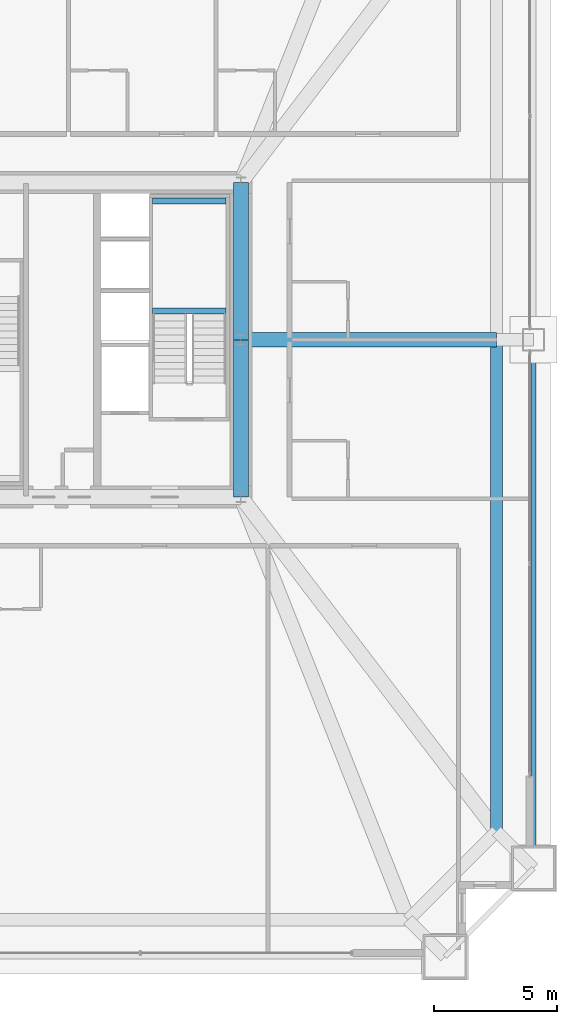
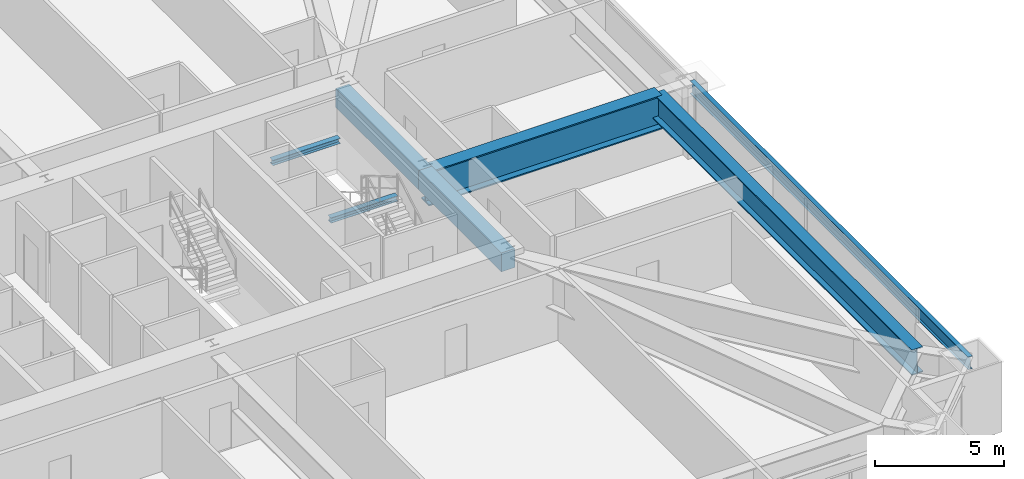
# One storey, part 18 of 44: 7 beams.
"""IFC4 building model written with IfcOpenShell, lengths in metres."""

from ifc_helpers import new_model, si_unit, direction, frame, origin, origin_2d, place, context, subcontext, project, spatial, rectangle, i_section, extrude, source, transform, mapped, material, material_profile, profile_set, type_object, element, save


model = new_model("IFC4")

# Units and contexts
model_context = context("Model", 3, precision=1e-05, world=origin(), true_north=direction((0.0, 1.0)))
body_context = subcontext(model_context, "Body", "Model", "MODEL_VIEW")
ifc_project = project(units=[si_unit("LENGTHUNIT", "METRE"), si_unit("AREAUNIT", "SQUARE_METRE"), si_unit("VOLUMEUNIT", "CUBIC_METRE"), si_unit("PLANEANGLEUNIT", "RADIAN"), si_unit("MASSUNIT", "GRAM", prefix="KILO"), si_unit("THERMODYNAMICTEMPERATUREUNIT", "KELVIN"), si_unit("POWERUNIT", "WATT")], contexts=[model_context])

# Site, building, storey
site_placement = place(None, origin())
site = spatial("IfcSite", under=ifc_project, at=site_placement, CompositionType="ELEMENT")
building_placement = place(site_placement, origin())
building = spatial("IfcBuilding", under=site, at=building_placement, Name="Yuzanri Waterfront Tower", CompositionType="ELEMENT")
storey_placement = place(building_placement, frame((0.0, 0.0, 82.0)))
storey = spatial("IfcBuildingStorey", under=building, at=storey_placement, Name="L21", CompositionType="ELEMENT", Elevation=82.0)

# Beams
ifc_material_1 = material(Name="Concrete C60", Category="concrete")
ifc_material_profile_1 = material_profile(ifc_material_1, rectangle(XDim=0.60009765625, YDim=0.89990234375, at=origin_2d()), Name="RC 600x900")
ifc_profile_set_1 = profile_set([ifc_material_profile_1], Name="Concrete C60")
beam_type_1 = type_object("IfcBeamType", Name="Core Coupling Lintel Concrete C60 600x900", PredefinedType="LINTEL", material=ifc_profile_set_1)
shared_shape_1 = source(origin(), body_context, "Body", "SweptSolid", [
    extrude(rectangle(XDim=0.60009765625, YDim=0.89990234375, at=origin_2d()), origin(), (0.0, 0.0, 1.0), 6.400146484375),
])
beam_1_placement = place(storey_placement, frame((50.199951171875, 19.39990234375, 2.8701171875), z_axis=(0.0, 1.0, 0.0), x_axis=(-1.0, 0.0, 0.0)))
element("IfcBeam", 1, at=beam_1_placement, inside=storey, type_object=beam_type_1, Name="L21 Core Tie Beam CE1", PredefinedType="LINTEL", context=body_context, shape_type="MappedRepresentation", body=[
    mapped(shared_shape_1, transform((0.0, 0.0, 0.0), scale=1.0)),
])
shared_shape_2 = source(origin(), body_context, "Body", "SweptSolid", [
    extrude(rectangle(XDim=0.60009765625, YDim=0.89990234375, at=origin_2d()), origin(), (0.0, 0.0, 1.0), 6.39990234375),
])
beam_2_placement = place(storey_placement, frame((50.199951171875, 25.800048828125, 2.8701171875), z_axis=(0.0, 1.0, 0.0), x_axis=(-1.0, 0.0, 0.0)))
element("IfcBeam", 2, at=beam_2_placement, inside=storey, type_object=beam_type_1, Name="L21 Core Tie Beam CE2", PredefinedType="LINTEL", context=body_context, shape_type="MappedRepresentation", body=[
    mapped(shared_shape_2, transform((0.0, 0.0, 0.0), scale=1.0)),
])
ifc_material_2 = material(Name="Steel Q355B", Category="steel")
ifc_material_profile_2 = material_profile(ifc_material_2, i_section(OverallWidth=0.199951171875, OverallDepth=0.60009765625, WebThickness=0.010986328125, FlangeThickness=0.01708984375, at=origin_2d()), Name="HN 600x200x11x17")
ifc_profile_set_2 = profile_set([ifc_material_profile_2], Name="Steel Q355B")
beam_type_2 = type_object("IfcBeamType", Name="Perimeter Spandrel Q355B HN 600x200", PredefinedType="SPANDREL", material=ifc_profile_set_2)
shared_shape_3 = source(origin(), body_context, "Body", "SweptSolid", [
    extrude(i_section(OverallWidth=0.199951171875, OverallDepth=0.60009765625, WebThickness=0.010986328125, FlangeThickness=0.01708984375, at=origin_2d()), origin(), (0.0, 0.0, 1.0), 21.5),
])
beam_3_placement = place(storey_placement, frame((62.10009765625, 4.300048828125, 3.02001953125), z_axis=(0.0, 1.0, 0.0), x_axis=(-1.0, 0.0, 0.0)))
element("IfcBeam", 3, at=beam_3_placement, inside=storey, type_object=beam_type_2, Name="L21 Perimeter Spandrel E1-E2", PredefinedType="SPANDREL", context=body_context, shape_type="MappedRepresentation", body=[
    mapped(shared_shape_3, transform((0.0, 0.0, 0.0), scale=1.0)),
])
ifc_material_3 = material(Name="Steel Q420GJC", Category="steel")
ifc_material_profile_3 = material_profile(ifc_material_3, i_section(OverallWidth=0.60009765625, OverallDepth=1.60009765625, WebThickness=0.031982421875, FlangeThickness=0.06005859375, at=origin_2d()), Name="PG 1600x600x32x60")
ifc_profile_set_3 = profile_set([ifc_material_profile_3], Name="Steel Q420GJC")
beam_type_3 = type_object("IfcBeamType", Name="Ballroom Transfer Girder Q420GJC PG 1600x600", PredefinedType="USERDEFINED", material=ifc_profile_set_3)
shared_shape_4 = source(origin(), body_context, "Body", "SweptSolid", [
    extrude(i_section(OverallWidth=0.60009765625, OverallDepth=1.60009765625, WebThickness=0.031982421875, FlangeThickness=0.06005859375, at=origin_2d()), origin(), (0.0, 0.0, 1.0), 10.400146484375),
])
beam_4_placement = place(storey_placement, frame((50.199951171875, 25.800048828125, 2.52001953125), z_axis=(1.0, 0.0, 0.0), x_axis=(0.0, 1.0, 0.0)))
element("IfcBeam", 4, at=beam_4_placement, inside=storey, type_object=beam_type_3, Name="L21 Setback Inner Transfer E2", ObjectType="GIRDER", PredefinedType="USERDEFINED", context=body_context, shape_type="MappedRepresentation", body=[
    mapped(shared_shape_4, transform((0.0, 0.0, 0.0), scale=1.0)),
])
ifc_material_4 = material(Name="Steel Q420GJC", Category="steel")
ifc_material_profile_4 = material_profile(ifc_material_4, i_section(OverallWidth=0.5, OverallDepth=1.199951171875, WebThickness=0.028076171875, FlangeThickness=0.050048828125, at=origin_2d()), Name="PG 1200x500x28x50")
ifc_profile_set_4 = profile_set([ifc_material_profile_4], Name="Steel Q420GJC")
beam_type_4 = type_object("IfcBeamType", Name="Setback Transfer Girder Q420GJC PG 1200x500", PredefinedType="USERDEFINED", material=ifc_profile_set_4)
shared_shape_5 = source(origin(), body_context, "Body", "SweptSolid", [
    extrude(i_section(OverallWidth=0.5, OverallDepth=1.199951171875, WebThickness=0.028076171875, FlangeThickness=0.050048828125, at=origin_2d()), origin(), (0.0, 0.0, 1.0), 20.0),
])
beam_5_placement = place(storey_placement, frame((60.60009765625, 5.800048828125, 2.719970703125), z_axis=(0.0, 1.0, 0.0), x_axis=(-1.0, 0.0, 0.0)))
element("IfcBeam", 5, at=beam_5_placement, inside=storey, type_object=beam_type_4, Name="L21 Setback Upper Ring E1-E2", ObjectType="GIRDER", PredefinedType="USERDEFINED", context=body_context, shape_type="MappedRepresentation", body=[
    mapped(shared_shape_5, transform((0.0, 0.0, 0.0), scale=1.0)),
])
ifc_material_5 = material(Name="Steel Q355B", Category="steel")
ifc_material_profile_5 = material_profile(ifc_material_5, i_section(OverallWidth=0.25, OverallDepth=0.25, WebThickness=0.009033203125, FlangeThickness=0.013916015625, at=origin_2d()), Name="HW 250x250x9x14")
ifc_profile_set_5 = profile_set([ifc_material_profile_5], Name="Steel Q355B")
beam_type_5 = type_object("IfcBeamType", Name="Stair Landing Support Beam Q355B HW 250x250", PredefinedType="BEAM", material=ifc_profile_set_5)
shared_shape_6 = source(origin(), body_context, "Body", "SweptSolid", [
    extrude(i_section(OverallWidth=0.25, OverallDepth=0.25, WebThickness=0.009033203125, FlangeThickness=0.013916015625, at=origin_2d()), origin(), (0.0, 0.0, 1.0), 3.0),
])
for number, where, z_axis, x_axis, name in (
    (6, (46.60009765625, 26.969970703125, 1.47509765625), (1.0, 0.0, 0.0), (0.0, 1.0, 0.0), "L21 Stair Landing Support Beam ST-02-L21-L1-1"),
    (7, (46.60009765625, 31.449951171875, 1.47509765625), (1.0, 0.0, 0.0), (0.0, 1.0, 0.0), "L21 Stair Landing Support Beam ST-02-L21-L1-2"),
):
    element("IfcBeam", number, at=place(storey_placement, frame(where, z_axis=z_axis, x_axis=x_axis)), inside=storey, type_object=beam_type_5, Name=name, PredefinedType="BEAM", context=body_context, shape_type="MappedRepresentation", body=[
        mapped(shared_shape_6, transform((0.0, 0.0, 0.0), scale=1.0)),
    ])

save(model, "model.ifc")
